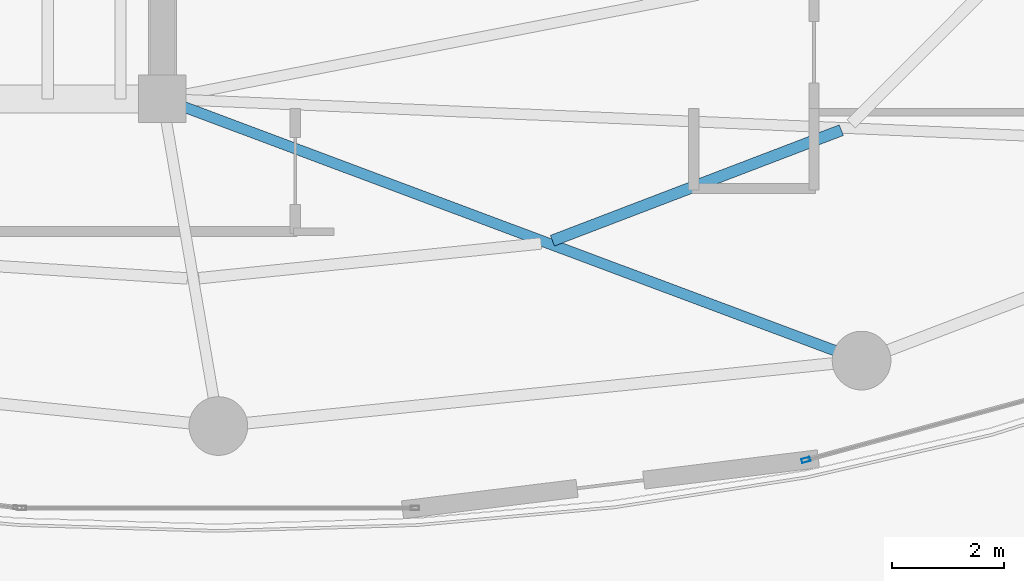
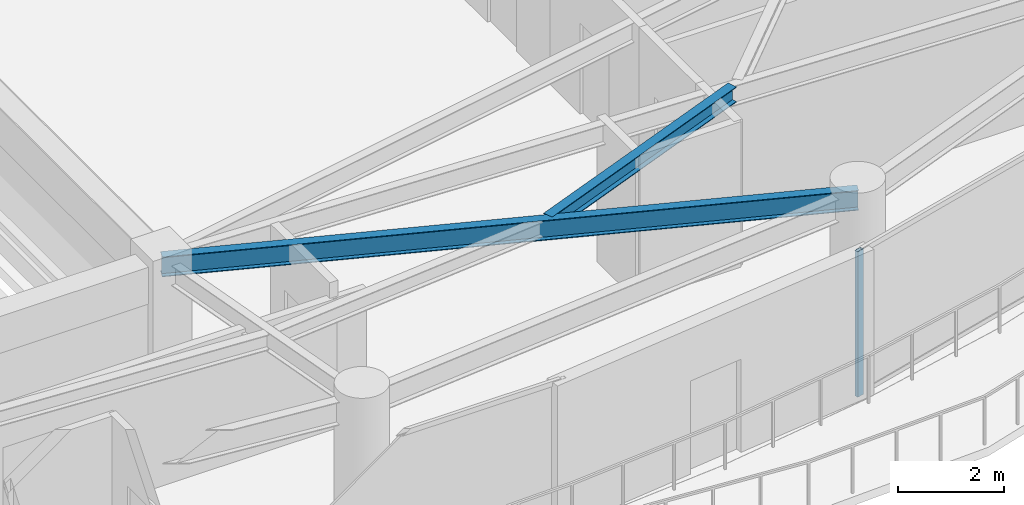
# One storey, part 10 of 29: 2 beams, 1 member, 1 element without a shape of its own.
"""IFC4 building model written with IfcOpenShell, lengths in metres."""

from ifc_helpers import new_model, si_unit, direction, frame, origin, origin_2d, place, context, subcontext, project, spatial, hollow_rectangle, i_section, extrude, material, layer, layer_set, material_profile, profile_set, type_object, element, aggregate, save


model = new_model("IFC4")

# Units and contexts
model_context = context("Model", 3, precision=1e-05, world=origin(), true_north=direction((0.0, 1.0)))
body_context = subcontext(model_context, "Body", "Model", "MODEL_VIEW")
ifc_project = project(units=[si_unit("LENGTHUNIT", "METRE"), si_unit("AREAUNIT", "SQUARE_METRE"), si_unit("VOLUMEUNIT", "CUBIC_METRE"), si_unit("PLANEANGLEUNIT", "RADIAN"), si_unit("MASSUNIT", "GRAM", prefix="KILO")], contexts=[model_context])

# Site, building, storey
site_placement = place(None, origin())
site = spatial("IfcSite", under=ifc_project, at=site_placement, CompositionType="ELEMENT")
building_placement = place(site_placement, origin())
building = spatial("IfcBuilding", under=site, at=building_placement, Name="Kazevale Care Tower and Concert Hall", CompositionType="ELEMENT")
storey_placement = place(building_placement, frame((0.0, 0.0, 195.60009765625)))
storey = spatial("IfcBuildingStorey", under=building, at=storey_placement, Name="L51", CompositionType="ELEMENT", Elevation=195.60009765625)

# Curtain wall, member
ifc_material_1 = material(Name="Aluminium 6063-T6 and Low-E Glass", Category="aluminium")
ifc_layer = layer(ifc_material_1, 0.179931640625)
ifc_layer_set = layer_set([ifc_layer], Name="Aluminium 6063-T6 and Low-E Glass")
curtain_wall_type = type_object("IfcCurtainWallType", Name="Sheltered Concave Balcony Curtain Wall CW-5", PredefinedType="NOTDEFINED", material=ifc_layer_set)
curtain_wall_placement = place(storey_placement, origin())
curtain_wall = element("IfcCurtainWall", 1, at=curtain_wall_placement, inside=storey, type_object=curtain_wall_type, Name="cw:L51:f04", PredefinedType="NOTDEFINED")
ifc_material_2 = material(Name="Aluminium 6063-T6", Category="aluminium")
ifc_material_profile_1 = material_profile(ifc_material_2, hollow_rectangle(XDim=0.074951171875, YDim=0.14990234375, WallThickness=0.00390625, at=origin_2d()), Name="ALU75x150x4")
ifc_profile_set_1 = profile_set([ifc_material_profile_1], Name="Aluminium 6063-T6")
member_type = type_object("IfcMemberType", Name="CW-5 Mullion ALU75x150x4", PredefinedType="MULLION", material=ifc_profile_set_1)
member_placement = place(storey_placement, frame((55.505126953125, 17.142822265625, 0.0), z_axis=(0.0, 0.0, 1.0), x_axis=(0.262848968947, -0.964836991167, 0.0)))
member = element("IfcMember", 2, at=member_placement, type_object=member_type, Name="CW-5 mullion 2", PredefinedType="MULLION", context=body_context, shape_type="SweptSolid", body=[
    extrude(hollow_rectangle(XDim=0.074951171875, YDim=0.14990234375, WallThickness=0.00390625, at=origin_2d()), origin(), (0.0, 0.0, 1.0), 3.35986328125),
])
aggregate(curtain_wall, [member])

# Beams
ifc_material_3 = material(Name="Steel ASTM A572 Gr 50", Category="steel")
ifc_material_profile_2 = material_profile(ifc_material_3, i_section(OverallWidth=0.19091796875, OverallDepth=0.4599609375, WebThickness=0.010009765625, FlangeThickness=0.01611328125, at=origin_2d()), Name="W460x82")
ifc_profile_set_2 = profile_set([ifc_material_profile_2], Name="Steel ASTM A572 Gr 50")
beam_type_1 = type_object("IfcBeamType", Name="Radial Floor Beam W460x82", PredefinedType="BEAM", material=ifc_profile_set_2)
beam_1_placement = place(storey_placement, frame((44.0, 23.60009765625, 3.1298828125), z_axis=(0.936509460339, -0.350642311615, 0.0), x_axis=(0.350642311615, 0.936509460339, 0.0)))
element("IfcBeam", 3, at=beam_1_placement, inside=storey, type_object=beam_type_1, Name="beam:L51:rad:14", PredefinedType="BEAM", context=body_context, shape_type="SweptSolid", body=[
    extrude(i_section(OverallWidth=0.19091796875, OverallDepth=0.4599609375, WebThickness=0.010009765625, FlangeThickness=0.01611328125, at=origin_2d()), origin(), (0.0, 0.0, 1.0), 13.347412109375),
])
ifc_material_profile_3 = material_profile(ifc_material_3, i_section(OverallWidth=0.205078125, OverallDepth=0.35400390625, WebThickness=0.009521484375, FlangeThickness=0.016845703125, at=origin_2d()), Name="W360x79")
ifc_profile_set_3 = profile_set([ifc_material_profile_3], Name="Steel ASTM A572 Gr 50")
beam_type_2 = type_object("IfcBeamType", Name="Secondary Floor Joist W360x79", PredefinedType="JOIST", material=ifc_profile_set_3)
beam_2_placement = place(storey_placement, frame((50.972900390625, 21.06396484375, 3.182861328125), z_axis=(0.934001589337, 0.35726884991, 0.0), x_axis=(-0.35726884991, 0.934001589337, 0.0)))
element("IfcBeam", 4, at=beam_2_placement, inside=storey, type_object=beam_type_2, Name="beam:L51:joist:14", PredefinedType="JOIST", context=body_context, shape_type="SweptSolid", body=[
    extrude(i_section(OverallWidth=0.205078125, OverallDepth=0.35400390625, WebThickness=0.009521484375, FlangeThickness=0.016845703125, at=origin_2d()), origin(), (0.0, 0.0, 1.0), 5.531005859375),
])

save(model, "model.ifc")
